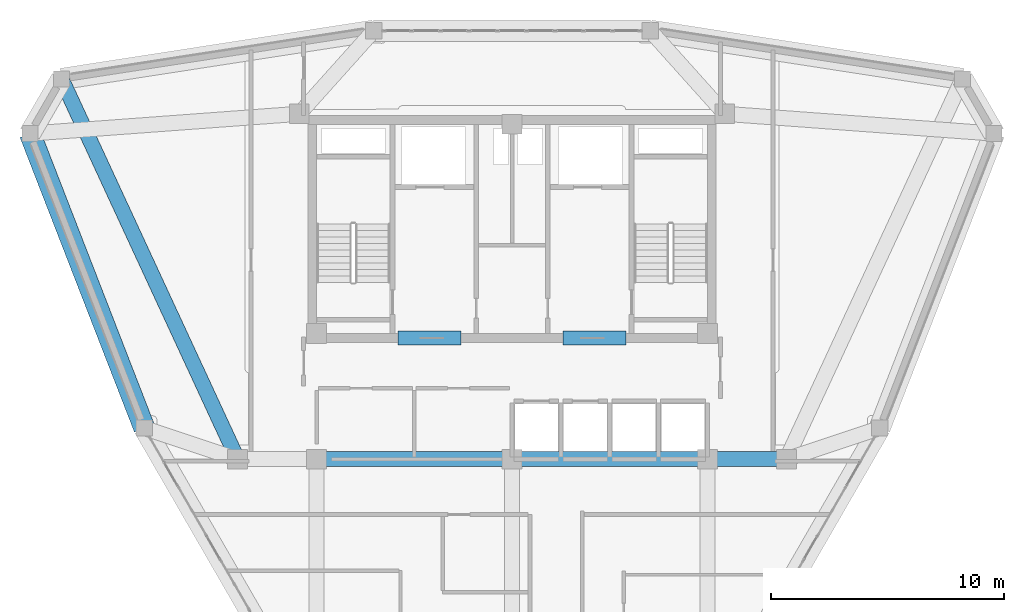
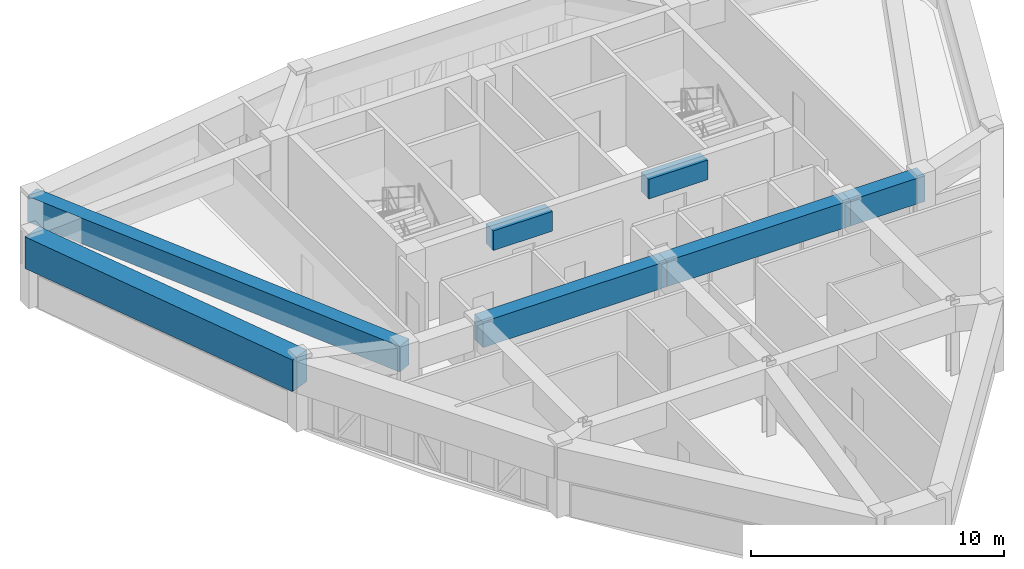
# One storey, part 6 of 14: 7 beams.
"""IFC4 building model written with IfcOpenShell, lengths in metres."""

import ifcopenshell
import ifcopenshell.guid

model = None  # the IFC model being written
_history = None  # IfcOwnerHistory: only IFC2X3 demands one
_inside = {}  # id of a spatial element -> (the spatial element, [elements in it])
_under = {}  # id of a project, library or spatial element -> (it, [spatial elements below it])
_declared = {}  # id of a project -> (the project, [libraries it declares])
_typed = {}  # id of a type object -> (the type object, [elements of that type])
_made_of = {}  # id of a material, layer set ... -> (it, [elements and type objects made of it])


def new_model(schema):
    """Start an empty IFC model of exactly this schema.

    Asked for "IFC4X3", IfcOpenShell would pick the latest addendum, in which some entities
    have other attributes; the version numbers below select the first issue.
    IFC2X3 requires an IfcOwnerHistory on every rooted entity: one is made here for all.
    """
    global model, _history
    if schema == "IFC4X3":
        model = ifcopenshell.file(schema_version=(4, 3, 0, 0))
    else:
        model = ifcopenshell.file(schema=schema)
    _inside.clear()
    _under.clear()
    _declared.clear()
    _typed.clear()
    _made_of.clear()
    _history = None
    if model.schema == "IFC2X3":
        org = make("IfcOrganization", Name="unknown")
        user = make(
            "IfcPersonAndOrganization",
            ThePerson=make("IfcPerson", FamilyName="unknown"),
            TheOrganization=org,
        )
        app = make(
            "IfcApplication",
            ApplicationDeveloper=org,
            Version="unknown",
            ApplicationFullName="unknown",
            ApplicationIdentifier="unknown",
        )
        _history = make(
            "IfcOwnerHistory",
            OwningUser=user,
            OwningApplication=app,
            ChangeAction="ADDED",
            CreationDate=0,
        )
    return model


def make(cls, **values):
    """One entity of the class cls with the attributes given. An attribute that is None is left unset."""
    return model.create_entity(
        cls, **{name: value for name, value in values.items() if value is not None}
    )


def rooted(cls, **values):
    """An entity with a GlobalId (a new one), such as an element, a storey or a relation."""
    return make(cls, GlobalId=ifcopenshell.guid.new(), OwnerHistory=_history, **values)


def si_unit(unit_type, name, prefix=None):
    """IfcSIUnit, for example si_unit("LENGTHUNIT", "METRE", prefix="MILLI")."""
    return make("IfcSIUnit", UnitType=unit_type, Prefix=prefix, Name=name)


def derived_unit(unit_type, elements):
    """IfcDerivedUnit: a product of units, each with its exponent."""
    return make(
        "IfcDerivedUnit",
        Elements=[
            make("IfcDerivedUnitElement", Unit=unit, Exponent=power)
            for unit, power in elements
        ],
        UnitType=unit_type,
    )


def assignment(units):
    """IfcUnitAssignment: the units of a project."""
    return None if units is None else make("IfcUnitAssignment", Units=units)


def point(xyz):
    """IfcCartesianPoint."""
    return None if xyz is None else make("IfcCartesianPoint", Coordinates=xyz)


def direction(xyz):
    """IfcDirection."""
    return None if xyz is None else make("IfcDirection", DirectionRatios=xyz)


def frame(location, z_axis=None, x_axis=None):
    """IfcAxis2Placement3D, a coordinate frame: its origin and axes. An axis left out is left unset."""
    return make(
        "IfcAxis2Placement3D",
        Location=point(location),
        Axis=direction(z_axis),
        RefDirection=direction(x_axis),
    )


def frame_2d(location, x_axis=None):
    """IfcAxis2Placement2D, a coordinate frame in the plane: its origin and x axis."""
    return make(
        "IfcAxis2Placement2D", Location=point(location), RefDirection=direction(x_axis)
    )


def origin():
    """The frame at (0, 0, 0) with its axes left unset."""
    return frame((0.0, 0.0, 0.0))


def origin_2d():
    """The frame at (0, 0) in the plane with its x axis left unset."""
    return frame_2d((0.0, 0.0))


def place(relative_to, where):
    """IfcLocalPlacement: puts the frame where relative to a parent placement (None: the world)."""
    return make(
        "IfcLocalPlacement", PlacementRelTo=relative_to, RelativePlacement=where
    )


def context(
    kind, dimensions, precision=None, world=None, true_north=None, identifier=None
):
    """IfcGeometricRepresentationContext, for example the 3D "Model" context."""
    return make(
        "IfcGeometricRepresentationContext",
        ContextIdentifier=identifier,
        ContextType=kind,
        CoordinateSpaceDimension=dimensions,
        Precision=precision,
        WorldCoordinateSystem=world,
        TrueNorth=true_north,
    )


def subcontext(parent, identifier, kind, view, scale=None):
    """IfcGeometricRepresentationSubContext, for example "Body" below "Model"."""
    return make(
        "IfcGeometricRepresentationSubContext",
        ContextIdentifier=identifier,
        ContextType=kind,
        ParentContext=parent,
        TargetScale=scale,
        TargetView=view,
    )


def project(units=None, contexts=None):
    """IfcProject with its units and contexts."""
    return rooted(
        "IfcProject",
        Name="project",
        RepresentationContexts=contexts,
        UnitsInContext=assignment(units),
    )


def spatial(cls, under=None, at=None, **own):
    """A site, building, storey or space (cls), placed at a placement, below another one or the project."""
    s = rooted(cls, ObjectPlacement=at, **own)
    if under is not None:
        _under.setdefault(under.id(), (under, []))[1].append(s)
    return s


def profile(cls, at=None, kind="AREA", **sizes):
    """A parametric profile (cls). Its sizes go by their IFC names, for example OverallWidth=200.0."""
    return make(cls, ProfileType=kind, Position=at, **sizes)


def rectangle(**sizes):
    """IfcRectangleProfileDef."""
    return profile("IfcRectangleProfileDef", **sizes)


def extrude(swept, where, along, depth):
    """IfcExtrudedAreaSolid: the profile swept, set in the frame where, extruded along a direction by depth."""
    return make(
        "IfcExtrudedAreaSolid",
        SweptArea=swept,
        Position=where,
        ExtrudedDirection=direction(along),
        Depth=depth,
    )


def shape(context_of_items, identifier, shape_type, items):
    """IfcShapeRepresentation: the items that make up one representation, for example the "Body"."""
    return make(
        "IfcShapeRepresentation",
        ContextOfItems=context_of_items,
        RepresentationIdentifier=identifier,
        RepresentationType=shape_type,
        Items=items,
    )


def source(mapping_origin, context_of_items, identifier, shape_type, items):
    """IfcRepresentationMap: a shape defined once, which mapped items show again and again."""
    return make(
        "IfcRepresentationMap",
        MappingOrigin=mapping_origin,
        MappedRepresentation=shape(context_of_items, identifier, shape_type, items),
    )


def transform(
    local_origin,
    x_axis=None,
    y_axis=None,
    z_axis=None,
    scale=None,
    scale2=None,
    scale3=None,
    uniform=True,
):
    """IfcCartesianTransformationOperator3D, or its non-uniform kind. x_axis, y_axis, z_axis: its Axis1, 2, 3."""
    if uniform:
        return make(
            "IfcCartesianTransformationOperator3D",
            Axis1=direction(x_axis),
            Axis2=direction(y_axis),
            LocalOrigin=point(local_origin),
            Scale=scale,
            Axis3=direction(z_axis),
        )
    return make(
        "IfcCartesianTransformationOperator3DnonUniform",
        Axis1=direction(x_axis),
        Axis2=direction(y_axis),
        LocalOrigin=point(local_origin),
        Scale=scale,
        Axis3=direction(z_axis),
        Scale2=scale2,
        Scale3=scale3,
    )


def mapped(mapping_source, mapping_target):
    """IfcMappedItem: shows the shape of a source again, moved by a transform."""
    return make(
        "IfcMappedItem", MappingSource=mapping_source, MappingTarget=mapping_target
    )


def material(Name=None, Category=None):
    """IfcMaterial."""
    return make("IfcMaterial", Name=Name, Category=Category)


def material_profile(
    of_material, cross_section, Name=None, Category=None, Priority=None
):
    """IfcMaterialProfile: a cross section and its material."""
    return make(
        "IfcMaterialProfile",
        Name=Name,
        Material=of_material,
        Profile=cross_section,
        Priority=Priority,
        Category=Category,
    )


def profile_set(profiles, Name=None, composite=None):
    """IfcMaterialProfileSet."""
    return make(
        "IfcMaterialProfileSet",
        Name=Name,
        MaterialProfiles=profiles,
        CompositeProfile=composite,
    )


def made_of(thing, what):
    """Note that an element or type object is made of a material, layer set ...; save() writes the relation."""
    if what is not None:
        _made_of.setdefault(what.id(), (what, []))[1].append(thing)
    return thing


def type_object(cls, material=None, **own):
    """A type object (cls), such as IfcWallType, which elements share."""
    return made_of(rooted(cls, **own), material)


def element(
    cls,
    number,
    at=None,
    inside=None,
    cuts=None,
    type_object=None,
    material=None,
    context=None,
    identifier="Body",
    shape_type=None,
    held_by="IfcProductDefinitionShape",
    body=None,
    shapes=None,
    **own,
):
    """One element of the class cls, such as IfcWall. Its Tag is "e" and its number.

    at: its placement. inside: the storey or other place that contains it. cuts: it is an
    opening in that element (IfcRelVoidsElement). A single representation is given by context,
    identifier, shape_type and body (its items); several are given by shapes. held_by: the class
    of the entity that holds the representations. save() writes the other relations.
    """
    e = rooted(cls, Tag="e%d" % number, ObjectPlacement=at, **own)
    if body is not None:
        shapes = [shape(context, identifier, shape_type, body)]
    if shapes is not None:
        e.Representation = make(held_by, Representations=shapes)
    if inside is not None:
        _inside.setdefault(inside.id(), (inside, []))[1].append(e)
    if cuts is not None:
        rooted(
            "IfcRelVoidsElement", RelatingBuildingElement=cuts, RelatedOpeningElement=e
        )
    if type_object is not None:
        _typed.setdefault(type_object.id(), (type_object, []))[1].append(e)
    return made_of(e, material)


def aggregate(whole, parts):
    """IfcRelAggregates: a whole, such as a stair, and the parts it consists of."""
    return rooted("IfcRelAggregates", RelatingObject=whole, RelatedObjects=parts)


def save(model, path):
    """Write the relations noted so far, then the file.

    IfcRelAggregates (storeys below a building ...), IfcRelContainedInSpatialStructure (elements
    in a storey), IfcRelDefinesByType, IfcRelAssociatesMaterial and IfcRelDeclares: one each for
    every whole, place, type object, material and project.
    """
    for whole, parts in _under.values():
        aggregate(whole, parts)
    for where, things in _inside.values():
        rooted(
            "IfcRelContainedInSpatialStructure",
            RelatedElements=things,
            RelatingStructure=where,
        )
    for kind, things in _typed.values():
        rooted("IfcRelDefinesByType", RelatedObjects=things, RelatingType=kind)
    for what, things in _made_of.values():
        rooted("IfcRelAssociatesMaterial", RelatedObjects=things, RelatingMaterial=what)
    for by, libraries in _declared.values():
        rooted("IfcRelDeclares", RelatingContext=by, RelatedDefinitions=libraries)
    model.write(path)


model = new_model("IFC4")

# Units and contexts
model_context = context("Model", 3, precision=1e-05, world=origin(), true_north=direction((0.0, 1.0)))
body_context = subcontext(model_context, "Body", "Model", "MODEL_VIEW")
ifc_project = project(units=[si_unit("LENGTHUNIT", "METRE"), si_unit("AREAUNIT", "SQUARE_METRE"), si_unit("VOLUMEUNIT", "CUBIC_METRE"), si_unit("PLANEANGLEUNIT", "RADIAN"), si_unit("MASSUNIT", "GRAM", prefix="KILO"), derived_unit("THERMALTRANSMITTANCEUNIT", [(si_unit("POWERUNIT", "WATT"), 1), (si_unit("LENGTHUNIT", "METRE"), -2), (si_unit("THERMODYNAMICTEMPERATUREUNIT", "KELVIN"), -1)])], contexts=[model_context])

# Site, building, storey
site_placement = place(None, origin())
site = spatial("IfcSite", under=ifc_project, at=site_placement, CompositionType="ELEMENT")
building_placement = place(site_placement, origin())
building = spatial("IfcBuilding", under=site, at=building_placement, Name="Korsvarv Bourse and Concert Hall", CompositionType="ELEMENT")
storey_placement = place(building_placement, frame((0.0, 0.0, 253.800048828125)))
storey = spatial("IfcBuildingStorey", under=building, at=storey_placement, Name="L66", CompositionType="ELEMENT", Elevation=253.800048828125)

# Beams
ifc_material_1 = material(Name="Concrete C55/67", Category="concrete")
ifc_material_profile_1 = material_profile(ifc_material_1, rectangle(XDim=0.60009765625, YDim=0.949951171875, at=origin_2d()), Name="RC-BM 600x950")
ifc_profile_set_1 = profile_set([ifc_material_profile_1], Name="Concrete C55/67")
beam_type_1 = type_object("IfcBeamType", Name="BM-CPL", PredefinedType="LINTEL", material=ifc_profile_set_1)
shared_shape_1 = source(origin(), body_context, "Body", "SweptSolid", [
    extrude(rectangle(XDim=0.60009765625, YDim=0.949951171875, at=origin_2d()), origin(), (0.0, 0.0, 1.0), 2.699951171875),
])
for number, where, z_axis, x_axis, name in (
    (1, (31.10009765625, 37.610107421875, 2.93505859375), (1.0, 0.0, 0.0), (0.0, 1.0, 0.0), "L66 Core Coupling Beam West"),
    (2, (38.199951171875, 37.610107421875, 2.93505859375), (1.0, 0.0, 0.0), (0.0, 1.0, 0.0), "L66 Core Coupling Beam East"),
):
    element("IfcBeam", number, at=place(storey_placement, frame(where, z_axis=z_axis, x_axis=x_axis)), inside=storey, type_object=beam_type_1, Name=name, PredefinedType="LINTEL", context=body_context, shape_type="MappedRepresentation", body=[
        mapped(shared_shape_1, transform((0.0, 0.0, 0.0), scale=1.0)),
    ])
ifc_material_2 = material(Name="Concrete C50/60", Category="concrete")
ifc_material_profile_2 = material_profile(ifc_material_2, rectangle(XDim=0.64990234375, YDim=1.239990234375, at=origin_2d()), Name="RC-BM 650x1240")
ifc_profile_set_2 = profile_set([ifc_material_profile_2], Name="Concrete C50/60")
beam_type_2 = type_object("IfcBeamType", Name="BM-TR-SPN", PredefinedType="BEAM", material=ifc_profile_set_2)
shared_shape_2 = source(origin(), body_context, "Body", "SweptSolid", [
    extrude(rectangle(XDim=0.64990234375, YDim=1.239990234375, at=origin_2d()), origin(), (0.0, 0.0, 1.0), 3.400146484375),
])
beam_1_placement = place(storey_placement, frame((44.39990234375, 32.39990234375, 2.7900390625), z_axis=(1.0, 0.0, 0.0), x_axis=(0.0, 1.0, 0.0)))
element("IfcBeam", 3, at=beam_1_placement, inside=storey, type_object=beam_type_2, Name="L66 beam B-TRS", PredefinedType="BEAM", context=body_context, shape_type="MappedRepresentation", body=[
    mapped(shared_shape_2, transform((0.0, 0.0, 0.0), scale=1.0)),
])
shared_shape_3 = source(origin(), body_context, "Body", "SweptSolid", [
    extrude(rectangle(XDim=0.64990234375, YDim=1.239990234375, at=origin_2d()), origin(), (0.0, 0.0, 1.0), 8.39990234375),
])
for number, where, z_axis, x_axis, name in (
    (4, (27.60009765625, 32.39990234375, 2.7900390625), (1.0, 0.0, 0.0), (0.0, 1.0, 0.0), "L66 beam B-TRS"),
    (5, (36.0, 32.39990234375, 2.7900390625), (1.0, 0.0, 0.0), (0.0, 1.0, 0.0), "L66 beam B-TRS"),
):
    element("IfcBeam", number, at=place(storey_placement, frame(where, z_axis=z_axis, x_axis=x_axis)), inside=storey, type_object=beam_type_2, Name=name, PredefinedType="BEAM", context=body_context, shape_type="MappedRepresentation", body=[
        mapped(shared_shape_3, transform((0.0, 0.0, 0.0), scale=1.0)),
    ])
ifc_material_profile_3 = material_profile(ifc_material_2, rectangle(XDim=0.919921875, YDim=1.530029296875, at=origin_2d()), Name="RC-BM 920x1530")
ifc_profile_set_3 = profile_set([ifc_material_profile_3], Name="Concrete C50/60")
beam_type_3 = type_object("IfcBeamType", Name="BM-TR-154", PredefinedType="BEAM", material=ifc_profile_set_3)
shared_shape_4 = source(origin(), body_context, "Body", "SweptSolid", [
    extrude(rectangle(XDim=0.919921875, YDim=1.530029296875, at=origin_2d()), origin(), (0.0, 0.0, 1.0), 13.58203125),
])
beam_2_placement = place(storey_placement, frame((15.27490234375, 46.399169921875, 2.64501953125), z_axis=(0.361897107662, -0.932218045023, 0.0), x_axis=(0.932218045023, 0.361897107662, 0.0)))
element("IfcBeam", 6, at=beam_2_placement, inside=storey, type_object=beam_type_3, Name="L66 beam B-TR6", PredefinedType="BEAM", context=body_context, shape_type="MappedRepresentation", body=[
    mapped(shared_shape_4, transform((0.0, 0.0, 0.0), scale=1.0)),
])
shared_shape_5 = source(origin(), body_context, "Body", "SweptSolid", [
    extrude(rectangle(XDim=0.64990234375, YDim=1.239990234375, at=origin_2d()), origin(), (0.0, 0.0, 1.0), 18.015869140625),
])
beam_3_placement = place(storey_placement, frame((16.631591796875, 48.7490234375, 2.7900390625), z_axis=(0.420092569243, -0.907481257805, 0.0), x_axis=(0.907481257805, 0.420092569243, 0.0)))
element("IfcBeam", 7, at=beam_3_placement, inside=storey, type_object=beam_type_2, Name="L66 beam B-TRS", PredefinedType="BEAM", context=body_context, shape_type="MappedRepresentation", body=[
    mapped(shared_shape_5, transform((0.0, 0.0, 0.0), scale=1.0)),
])

save(model, "model.ifc")
